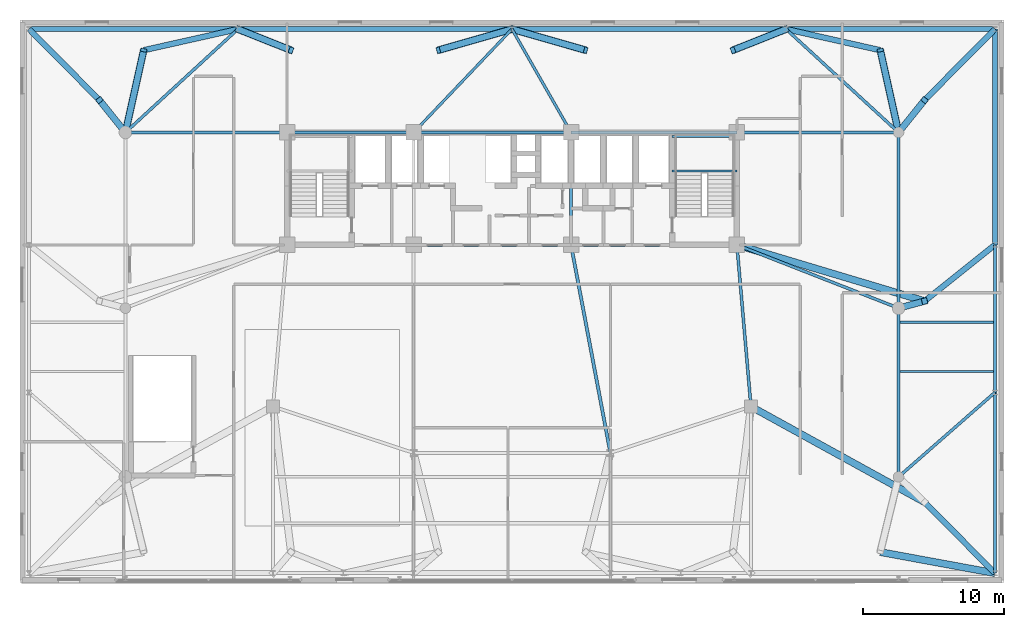
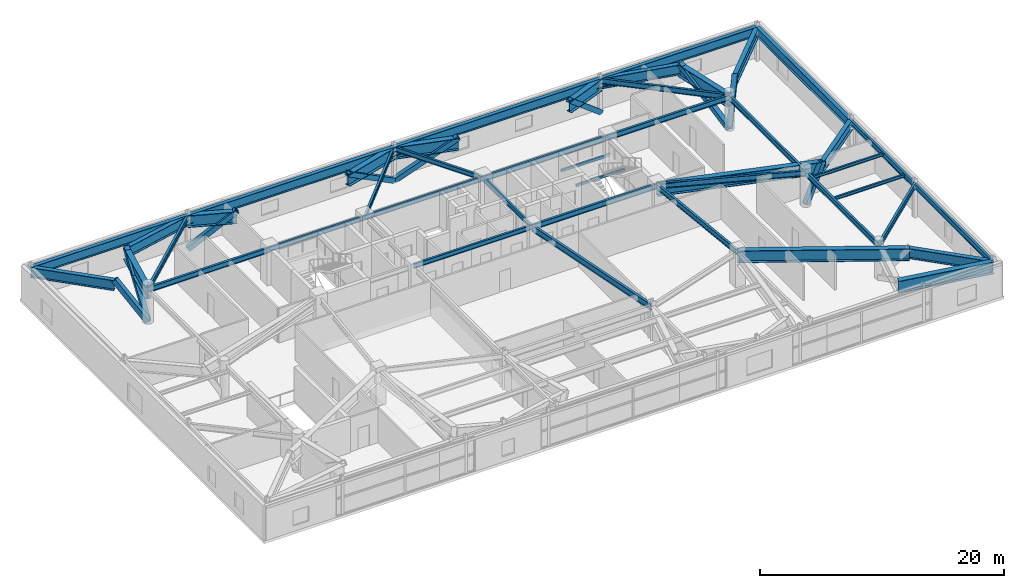
# One storey, part 18 of 27: 44 beams, 9 members.
"""IFC4 building model written with IfcOpenShell, lengths in metres."""

import ifcopenshell
import ifcopenshell.guid

model = None  # the IFC model being written
_history = None  # IfcOwnerHistory: only IFC2X3 demands one
_inside = {}  # id of a spatial element -> (the spatial element, [elements in it])
_under = {}  # id of a project, library or spatial element -> (it, [spatial elements below it])
_declared = {}  # id of a project -> (the project, [libraries it declares])
_typed = {}  # id of a type object -> (the type object, [elements of that type])
_made_of = {}  # id of a material, layer set ... -> (it, [elements and type objects made of it])


def new_model(schema):
    """Start an empty IFC model of exactly this schema.

    Asked for "IFC4X3", IfcOpenShell would pick the latest addendum, in which some entities
    have other attributes; the version numbers below select the first issue.
    IFC2X3 requires an IfcOwnerHistory on every rooted entity: one is made here for all.
    """
    global model, _history
    if schema == "IFC4X3":
        model = ifcopenshell.file(schema_version=(4, 3, 0, 0))
    else:
        model = ifcopenshell.file(schema=schema)
    _inside.clear()
    _under.clear()
    _declared.clear()
    _typed.clear()
    _made_of.clear()
    _history = None
    if model.schema == "IFC2X3":
        org = make("IfcOrganization", Name="unknown")
        user = make(
            "IfcPersonAndOrganization",
            ThePerson=make("IfcPerson", FamilyName="unknown"),
            TheOrganization=org,
        )
        app = make(
            "IfcApplication",
            ApplicationDeveloper=org,
            Version="unknown",
            ApplicationFullName="unknown",
            ApplicationIdentifier="unknown",
        )
        _history = make(
            "IfcOwnerHistory",
            OwningUser=user,
            OwningApplication=app,
            ChangeAction="ADDED",
            CreationDate=0,
        )
    return model


def make(cls, **values):
    """One entity of the class cls with the attributes given. An attribute that is None is left unset."""
    return model.create_entity(
        cls, **{name: value for name, value in values.items() if value is not None}
    )


def rooted(cls, **values):
    """An entity with a GlobalId (a new one), such as an element, a storey or a relation."""
    return make(cls, GlobalId=ifcopenshell.guid.new(), OwnerHistory=_history, **values)


def si_unit(unit_type, name, prefix=None):
    """IfcSIUnit, for example si_unit("LENGTHUNIT", "METRE", prefix="MILLI")."""
    return make("IfcSIUnit", UnitType=unit_type, Prefix=prefix, Name=name)


def assignment(units):
    """IfcUnitAssignment: the units of a project."""
    return None if units is None else make("IfcUnitAssignment", Units=units)


def point(xyz):
    """IfcCartesianPoint."""
    return None if xyz is None else make("IfcCartesianPoint", Coordinates=xyz)


def direction(xyz):
    """IfcDirection."""
    return None if xyz is None else make("IfcDirection", DirectionRatios=xyz)


def frame(location, z_axis=None, x_axis=None):
    """IfcAxis2Placement3D, a coordinate frame: its origin and axes. An axis left out is left unset."""
    return make(
        "IfcAxis2Placement3D",
        Location=point(location),
        Axis=direction(z_axis),
        RefDirection=direction(x_axis),
    )


def frame_2d(location, x_axis=None):
    """IfcAxis2Placement2D, a coordinate frame in the plane: its origin and x axis."""
    return make(
        "IfcAxis2Placement2D", Location=point(location), RefDirection=direction(x_axis)
    )


def origin():
    """The frame at (0, 0, 0) with its axes left unset."""
    return frame((0.0, 0.0, 0.0))


def origin_2d():
    """The frame at (0, 0) in the plane with its x axis left unset."""
    return frame_2d((0.0, 0.0))


def place(relative_to, where):
    """IfcLocalPlacement: puts the frame where relative to a parent placement (None: the world)."""
    return make(
        "IfcLocalPlacement", PlacementRelTo=relative_to, RelativePlacement=where
    )


def context(
    kind, dimensions, precision=None, world=None, true_north=None, identifier=None
):
    """IfcGeometricRepresentationContext, for example the 3D "Model" context."""
    return make(
        "IfcGeometricRepresentationContext",
        ContextIdentifier=identifier,
        ContextType=kind,
        CoordinateSpaceDimension=dimensions,
        Precision=precision,
        WorldCoordinateSystem=world,
        TrueNorth=true_north,
    )


def subcontext(parent, identifier, kind, view, scale=None):
    """IfcGeometricRepresentationSubContext, for example "Body" below "Model"."""
    return make(
        "IfcGeometricRepresentationSubContext",
        ContextIdentifier=identifier,
        ContextType=kind,
        ParentContext=parent,
        TargetScale=scale,
        TargetView=view,
    )


def project(units=None, contexts=None):
    """IfcProject with its units and contexts."""
    return rooted(
        "IfcProject",
        Name="project",
        RepresentationContexts=contexts,
        UnitsInContext=assignment(units),
    )


def spatial(cls, under=None, at=None, **own):
    """A site, building, storey or space (cls), placed at a placement, below another one or the project."""
    s = rooted(cls, ObjectPlacement=at, **own)
    if under is not None:
        _under.setdefault(under.id(), (under, []))[1].append(s)
    return s


def profile(cls, at=None, kind="AREA", **sizes):
    """A parametric profile (cls). Its sizes go by their IFC names, for example OverallWidth=200.0."""
    return make(cls, ProfileType=kind, Position=at, **sizes)


def hollow_rectangle(**sizes):
    """IfcRectangleHollowProfileDef."""
    return profile("IfcRectangleHollowProfileDef", **sizes)


def i_section(**sizes):
    """IfcIShapeProfileDef."""
    return profile("IfcIShapeProfileDef", **sizes)


def extrude(swept, where, along, depth):
    """IfcExtrudedAreaSolid: the profile swept, set in the frame where, extruded along a direction by depth."""
    return make(
        "IfcExtrudedAreaSolid",
        SweptArea=swept,
        Position=where,
        ExtrudedDirection=direction(along),
        Depth=depth,
    )


def shape(context_of_items, identifier, shape_type, items):
    """IfcShapeRepresentation: the items that make up one representation, for example the "Body"."""
    return make(
        "IfcShapeRepresentation",
        ContextOfItems=context_of_items,
        RepresentationIdentifier=identifier,
        RepresentationType=shape_type,
        Items=items,
    )


def source(mapping_origin, context_of_items, identifier, shape_type, items):
    """IfcRepresentationMap: a shape defined once, which mapped items show again and again."""
    return make(
        "IfcRepresentationMap",
        MappingOrigin=mapping_origin,
        MappedRepresentation=shape(context_of_items, identifier, shape_type, items),
    )


def transform(
    local_origin,
    x_axis=None,
    y_axis=None,
    z_axis=None,
    scale=None,
    scale2=None,
    scale3=None,
    uniform=True,
):
    """IfcCartesianTransformationOperator3D, or its non-uniform kind. x_axis, y_axis, z_axis: its Axis1, 2, 3."""
    if uniform:
        return make(
            "IfcCartesianTransformationOperator3D",
            Axis1=direction(x_axis),
            Axis2=direction(y_axis),
            LocalOrigin=point(local_origin),
            Scale=scale,
            Axis3=direction(z_axis),
        )
    return make(
        "IfcCartesianTransformationOperator3DnonUniform",
        Axis1=direction(x_axis),
        Axis2=direction(y_axis),
        LocalOrigin=point(local_origin),
        Scale=scale,
        Axis3=direction(z_axis),
        Scale2=scale2,
        Scale3=scale3,
    )


def mapped(mapping_source, mapping_target):
    """IfcMappedItem: shows the shape of a source again, moved by a transform."""
    return make(
        "IfcMappedItem", MappingSource=mapping_source, MappingTarget=mapping_target
    )


def material(Name=None, Category=None):
    """IfcMaterial."""
    return make("IfcMaterial", Name=Name, Category=Category)


def material_profile(
    of_material, cross_section, Name=None, Category=None, Priority=None
):
    """IfcMaterialProfile: a cross section and its material."""
    return make(
        "IfcMaterialProfile",
        Name=Name,
        Material=of_material,
        Profile=cross_section,
        Priority=Priority,
        Category=Category,
    )


def profile_set(profiles, Name=None, composite=None):
    """IfcMaterialProfileSet."""
    return make(
        "IfcMaterialProfileSet",
        Name=Name,
        MaterialProfiles=profiles,
        CompositeProfile=composite,
    )


def made_of(thing, what):
    """Note that an element or type object is made of a material, layer set ...; save() writes the relation."""
    if what is not None:
        _made_of.setdefault(what.id(), (what, []))[1].append(thing)
    return thing


def type_object(cls, material=None, **own):
    """A type object (cls), such as IfcWallType, which elements share."""
    return made_of(rooted(cls, **own), material)


def element(
    cls,
    number,
    at=None,
    inside=None,
    cuts=None,
    type_object=None,
    material=None,
    context=None,
    identifier="Body",
    shape_type=None,
    held_by="IfcProductDefinitionShape",
    body=None,
    shapes=None,
    **own,
):
    """One element of the class cls, such as IfcWall. Its Tag is "e" and its number.

    at: its placement. inside: the storey or other place that contains it. cuts: it is an
    opening in that element (IfcRelVoidsElement). A single representation is given by context,
    identifier, shape_type and body (its items); several are given by shapes. held_by: the class
    of the entity that holds the representations. save() writes the other relations.
    """
    e = rooted(cls, Tag="e%d" % number, ObjectPlacement=at, **own)
    if body is not None:
        shapes = [shape(context, identifier, shape_type, body)]
    if shapes is not None:
        e.Representation = make(held_by, Representations=shapes)
    if inside is not None:
        _inside.setdefault(inside.id(), (inside, []))[1].append(e)
    if cuts is not None:
        rooted(
            "IfcRelVoidsElement", RelatingBuildingElement=cuts, RelatedOpeningElement=e
        )
    if type_object is not None:
        _typed.setdefault(type_object.id(), (type_object, []))[1].append(e)
    return made_of(e, material)


def aggregate(whole, parts):
    """IfcRelAggregates: a whole, such as a stair, and the parts it consists of."""
    return rooted("IfcRelAggregates", RelatingObject=whole, RelatedObjects=parts)


def save(model, path):
    """Write the relations noted so far, then the file.

    IfcRelAggregates (storeys below a building ...), IfcRelContainedInSpatialStructure (elements
    in a storey), IfcRelDefinesByType, IfcRelAssociatesMaterial and IfcRelDeclares: one each for
    every whole, place, type object, material and project.
    """
    for whole, parts in _under.values():
        aggregate(whole, parts)
    for where, things in _inside.values():
        rooted(
            "IfcRelContainedInSpatialStructure",
            RelatedElements=things,
            RelatingStructure=where,
        )
    for kind, things in _typed.values():
        rooted("IfcRelDefinesByType", RelatedObjects=things, RelatingType=kind)
    for what, things in _made_of.values():
        rooted("IfcRelAssociatesMaterial", RelatedObjects=things, RelatingMaterial=what)
    for by, libraries in _declared.values():
        rooted("IfcRelDeclares", RelatingContext=by, RelatedDefinitions=libraries)
    model.write(path)


model = new_model("IFC4")

# Units and contexts
model_context = context("Model", 3, precision=1e-05, world=origin(), true_north=direction((0.0, 1.0)))
body_context = subcontext(model_context, "Body", "Model", "MODEL_VIEW")
ifc_project = project(units=[si_unit("LENGTHUNIT", "METRE"), si_unit("AREAUNIT", "SQUARE_METRE"), si_unit("VOLUMEUNIT", "CUBIC_METRE"), si_unit("PLANEANGLEUNIT", "RADIAN"), si_unit("MASSUNIT", "GRAM", prefix="KILO")], contexts=[model_context])

# Site, building, storey
site_placement = place(None, origin())
site = spatial("IfcSite", under=ifc_project, at=site_placement, CompositionType="ELEMENT")
building_placement = place(site_placement, origin())
building = spatial("IfcBuilding", under=site, at=building_placement, Name="Taldren Reach Tower", CompositionType="ELEMENT")
storey_placement = place(building_placement, frame((0.0, 0.0, 12.949951171875)))
storey = spatial("IfcBuildingStorey", under=building, at=storey_placement, Name="L03", CompositionType="ELEMENT", Elevation=12.949951171875)

# Beams
ifc_material_1 = material(Name="Steel Gr 350 (350PLUS)", Category="steel")
ifc_material_profile_1 = material_profile(ifc_material_1, i_section(OverallWidth=0.19091796875, OverallDepth=0.4599609375, WebThickness=0.010009765625, FlangeThickness=0.01611328125, at=origin_2d()), Name="460UB82.1")
ifc_profile_set_1 = profile_set([ifc_material_profile_1], Name="Steel Gr 350 (350PLUS)")
beam_type_1 = type_object("IfcBeamType", Name="BM-UB460A", PredefinedType="BEAM", material=ifc_profile_set_1)
shared_shape_1 = source(origin(), body_context, "Body", "SweptSolid", [
    extrude(i_section(OverallWidth=0.19091796875, OverallDepth=0.4599609375, WebThickness=0.010009765625, FlangeThickness=0.01611328125, at=origin_2d()), origin(), (0.0, 0.0, 1.0), 9.0),
])
beam_1_placement = place(storey_placement, frame((19.0, 32.0, 3.199951171875), z_axis=(1.0, 0.0, 0.0), x_axis=(0.0, 1.0, 0.0)))
element("IfcBeam", 1, at=beam_1_placement, inside=storey, type_object=beam_type_1, Name="Core-spine girder L03-SP04", PredefinedType="BEAM", context=body_context, shape_type="MappedRepresentation", body=[
    mapped(shared_shape_1, transform((0.0, 0.0, 0.0), scale=1.0)),
])
shared_shape_2 = source(origin(), body_context, "Body", "SweptSolid", [
    extrude(i_section(OverallWidth=0.19091796875, OverallDepth=0.4599609375, WebThickness=0.010009765625, FlangeThickness=0.01611328125, at=origin_2d()), origin(), (0.0, 0.0, 1.0), 11.199951171875),
])
for number, where, z_axis, x_axis, name in (
    (2, (28.0, 24.0, 3.199951171875), (1.0, 0.0, 0.0), (0.0, 1.0, 0.0), "Core-spine girder L03-SP02"),
    (3, (28.0, 32.0, 3.199951171875), (1.0, 0.0, 0.0), (0.0, 1.0, 0.0), "Core-spine girder L03-SP05"),
):
    element("IfcBeam", number, at=place(storey_placement, frame(where, z_axis=z_axis, x_axis=x_axis)), inside=storey, type_object=beam_type_1, Name=name, PredefinedType="BEAM", context=body_context, shape_type="MappedRepresentation", body=[
        mapped(shared_shape_2, transform((0.0, 0.0, 0.0), scale=1.0)),
    ])
ifc_material_profile_2 = material_profile(ifc_material_1, i_section(OverallWidth=0.208984375, OverallDepth=0.532958984375, WebThickness=0.01025390625, FlangeThickness=0.015625, at=origin_2d()), Name="530UB92.4")
ifc_profile_set_2 = profile_set([ifc_material_profile_2], Name="Steel Gr 350 (350PLUS)")
beam_type_2 = type_object("IfcBeamType", Name="BM-UB530A", PredefinedType="BEAM", material=ifc_profile_set_2)
shared_shape_3 = source(origin(), body_context, "Body", "SweptSolid", [
    extrude(i_section(OverallWidth=0.208984375, OverallDepth=0.532958984375, WebThickness=0.01025390625, FlangeThickness=0.015625, at=origin_2d()), origin(), (0.0, 0.0, 1.0), 11.800048828125),
])
for number, where, z_axis, x_axis, name in (
    (4, (39.199951171875, 24.0, 3.16357421875), (1.0, 0.0, 0.0), (0.0, 1.0, 0.0), "Core-spine girder L03-SP03"),
    (5, (39.199951171875, 32.0, 3.16357421875), (1.0, 0.0, 0.0), (0.0, 1.0, 0.0), "Core-spine girder L03-SP06"),
):
    element("IfcBeam", number, at=place(storey_placement, frame(where, z_axis=z_axis, x_axis=x_axis)), inside=storey, type_object=beam_type_2, Name=name, PredefinedType="BEAM", context=body_context, shape_type="MappedRepresentation", body=[
        mapped(shared_shape_3, transform((0.0, 0.0, 0.0), scale=1.0)),
    ])
shared_shape_4 = source(origin(), body_context, "Body", "SweptSolid", [
    extrude(i_section(OverallWidth=0.19091796875, OverallDepth=0.4599609375, WebThickness=0.010009765625, FlangeThickness=0.01611328125, at=origin_2d()), origin(), (0.0, 0.0, 1.0), 8.0),
])
beam_2_placement = place(storey_placement, frame((39.199951171875, 24.0, 3.199951171875), z_axis=(0.0, 1.0, 0.0), x_axis=(-1.0, 0.0, 0.0)))
element("IfcBeam", 6, at=beam_2_placement, inside=storey, type_object=beam_type_1, Name="Core-spine girder L03-SP08", PredefinedType="BEAM", context=body_context, shape_type="MappedRepresentation", body=[
    mapped(shared_shape_4, transform((0.0, 0.0, 0.0), scale=1.0)),
])
shared_shape_5 = source(origin(), body_context, "Body", "SweptSolid", [
    extrude(i_section(OverallWidth=0.208984375, OverallDepth=0.532958984375, WebThickness=0.01025390625, FlangeThickness=0.015625, at=origin_2d()), origin(), (0.0, 0.0, 1.0), 11.54345703125),
])
beam_3_placement = place(storey_placement, frame((52.0, 12.5, 3.16357421875), z_axis=(-0.086629616365, 0.996240588196, 0.0), x_axis=(-0.996240588196, -0.086629616365, 0.0)))
element("IfcBeam", 7, at=beam_3_placement, inside=storey, type_object=beam_type_2, Name="Core-spine girder L03-SP13", PredefinedType="BEAM", context=body_context, shape_type="MappedRepresentation", body=[
    mapped(shared_shape_5, transform((0.0, 0.0, 0.0), scale=1.0)),
])
ifc_material_profile_3 = material_profile(ifc_material_1, i_section(OverallWidth=0.22802734375, OverallDepth=0.60205078125, WebThickness=0.010498046875, FlangeThickness=0.014892578125, at=origin_2d()), Name="610UB101")
ifc_profile_set_3 = profile_set([ifc_material_profile_3], Name="Steel Gr 350 (350PLUS)")
beam_type_3 = type_object("IfcBeamType", Name="BM-UB610B", PredefinedType="BEAM", material=ifc_profile_set_3)
shared_shape_6 = source(origin(), body_context, "Body", "SweptSolid", [
    extrude(i_section(OverallWidth=0.22802734375, OverallDepth=0.60205078125, WebThickness=0.010498046875, FlangeThickness=0.014892578125, at=origin_2d()), origin(), (0.0, 0.0, 1.0), 15.0625),
])
beam_4_placement = place(storey_placement, frame((39.199951171875, 24.0, 3.129150390625), z_axis=(0.185894205668, -0.982569765614, 0.0), x_axis=(0.982569765614, 0.185894205668, 0.0)))
element("IfcBeam", 8, at=beam_4_placement, inside=storey, type_object=beam_type_3, Name="Core-spine girder L03-SP15", PredefinedType="BEAM", context=body_context, shape_type="MappedRepresentation", body=[
    mapped(shared_shape_6, transform((0.0, 0.0, 0.0), scale=1.0)),
])
ifc_material_profile_4 = material_profile(ifc_material_1, i_section(OverallWidth=0.35009765625, OverallDepth=0.916015625, WebThickness=0.013916015625, FlangeThickness=0.028076171875, at=origin_2d()), Name="900WB257")
ifc_profile_set_4 = profile_set([ifc_material_profile_4], Name="Steel Gr 350 (350PLUS)")
beam_type_4 = type_object("IfcBeamType", Name="BM-WB900", PredefinedType="BEAM", material=ifc_profile_set_4)
shared_shape_7 = source(origin(), body_context, "Body", "SweptSolid", [
    extrude(i_section(OverallWidth=0.35009765625, OverallDepth=0.916015625, WebThickness=0.013916015625, FlangeThickness=0.028076171875, at=origin_2d()), origin(), (0.0, 0.0, 1.0), 14.85009765625),
])
for number, where, z_axis, x_axis, name in (
    (9, (0.64990234375, 39.35009765625, 2.97216796875), (1.0, 0.0, 0.0), (0.0, 1.0, 0.0), "Podium girder L03-PD08"),
    (10, (54.5, 39.35009765625, 2.97216796875), (1.0, 0.0, 0.0), (0.0, 1.0, 0.0), "Podium girder L03-PD11"),
):
    element("IfcBeam", number, at=place(storey_placement, frame(where, z_axis=z_axis, x_axis=x_axis)), inside=storey, type_object=beam_type_4, Name=name, PredefinedType="BEAM", context=body_context, shape_type="MappedRepresentation", body=[
        mapped(shared_shape_7, transform((0.0, 0.0, 0.0), scale=1.0)),
    ])
shared_shape_8 = source(origin(), body_context, "Body", "SweptSolid", [
    extrude(i_section(OverallWidth=0.35009765625, OverallDepth=0.916015625, WebThickness=0.013916015625, FlangeThickness=0.028076171875, at=origin_2d()), origin(), (0.0, 0.0, 1.0), 19.5),
])
for number, where, z_axis, x_axis, name in (
    (11, (15.5, 39.35009765625, 2.97216796875), (1.0, 0.0, 0.0), (0.0, 1.0, 0.0), "Podium girder L03-PD09"),
    (12, (35.0, 39.35009765625, 2.97216796875), (1.0, 0.0, 0.0), (0.0, 1.0, 0.0), "Podium girder L03-PD10"),
):
    element("IfcBeam", number, at=place(storey_placement, frame(where, z_axis=z_axis, x_axis=x_axis)), inside=storey, type_object=beam_type_4, Name=name, PredefinedType="BEAM", context=body_context, shape_type="MappedRepresentation", body=[
        mapped(shared_shape_8, transform((0.0, 0.0, 0.0), scale=1.0)),
    ])
ifc_material_profile_5 = material_profile(ifc_material_1, i_section(OverallWidth=0.208984375, OverallDepth=0.528076171875, WebThickness=0.009521484375, FlangeThickness=0.01318359375, at=origin_2d()), Name="530UB82.0")
ifc_profile_set_5 = profile_set([ifc_material_profile_5], Name="Steel Gr 350 (350PLUS)")
beam_type_5 = type_object("IfcBeamType", Name="SP-UB530B", PredefinedType="SPANDREL", material=ifc_profile_set_5)
shared_shape_9 = source(origin(), body_context, "Body", "SweptSolid", [
    extrude(i_section(OverallWidth=0.208984375, OverallDepth=0.528076171875, WebThickness=0.009521484375, FlangeThickness=0.01318359375, at=origin_2d()), origin(), (0.0, 0.0, 1.0), 12.85009765625),
])
beam_5_placement = place(storey_placement, frame((69.35009765625, 0.64990234375, 3.166015625), z_axis=(0.0, 1.0, 0.0), x_axis=(-1.0, 0.0, 0.0)))
element("IfcBeam", 13, at=beam_5_placement, inside=storey, type_object=beam_type_5, Name="Podium beam L03-PD15", PredefinedType="SPANDREL", context=body_context, shape_type="MappedRepresentation", body=[
    mapped(shared_shape_9, transform((0.0, 0.0, 0.0), scale=1.0)),
])
shared_shape_10 = source(origin(), body_context, "Body", "SweptSolid", [
    extrude(i_section(OverallWidth=0.208984375, OverallDepth=0.528076171875, WebThickness=0.009521484375, FlangeThickness=0.01318359375, at=origin_2d()), origin(), (0.0, 0.0, 1.0), 10.5),
])
beam_6_placement = place(storey_placement, frame((69.35009765625, 13.5, 3.166015625), z_axis=(0.0, 1.0, 0.0), x_axis=(-1.0, 0.0, 0.0)))
element("IfcBeam", 14, at=beam_6_placement, inside=storey, type_object=beam_type_5, Name="Podium beam L03-PD16", PredefinedType="SPANDREL", context=body_context, shape_type="MappedRepresentation", body=[
    mapped(shared_shape_10, transform((0.0, 0.0, 0.0), scale=1.0)),
])
shared_shape_11 = source(origin(), body_context, "Body", "SweptSolid", [
    extrude(i_section(OverallWidth=0.35009765625, OverallDepth=0.916015625, WebThickness=0.013916015625, FlangeThickness=0.028076171875, at=origin_2d()), origin(), (0.0, 0.0, 1.0), 15.35009765625),
])
beam_7_placement = place(storey_placement, frame((69.35009765625, 24.0, 2.97216796875), z_axis=(0.0, 1.0, 0.0), x_axis=(-1.0, 0.0, 0.0)))
element("IfcBeam", 15, at=beam_7_placement, inside=storey, type_object=beam_type_4, Name="Podium girder L03-PD17", PredefinedType="BEAM", context=body_context, shape_type="MappedRepresentation", body=[
    mapped(shared_shape_11, transform((0.0, 0.0, 0.0), scale=1.0)),
])
shared_shape_12 = source(origin(), body_context, "Body", "SweptSolid", [
    extrude(i_section(OverallWidth=0.208984375, OverallDepth=0.532958984375, WebThickness=0.01025390625, FlangeThickness=0.015625, at=origin_2d()), origin(), (0.0, 0.0, 1.0), 9.106201171875),
])
beam_8_placement = place(storey_placement, frame((69.35009765625, 13.5, 3.16357421875), z_axis=(-0.75224111342, -0.658887932262, 0.0), x_axis=(0.658887932262, -0.75224111342, 0.0)))
element("IfcBeam", 16, at=beam_8_placement, inside=storey, type_object=beam_type_2, Name="Podium beam L03-PD26", PredefinedType="BEAM", context=body_context, shape_type="MappedRepresentation", body=[
    mapped(shared_shape_12, transform((0.0, 0.0, 0.0), scale=1.0)),
])
shared_shape_13 = source(origin(), body_context, "Body", "SweptSolid", [
    extrude(i_section(OverallWidth=0.208984375, OverallDepth=0.532958984375, WebThickness=0.01025390625, FlangeThickness=0.015625, at=origin_2d()), origin(), (0.0, 0.0, 1.0), 12.0),
])
beam_9_placement = place(storey_placement, frame((62.5, 7.5, 3.16357421875), z_axis=(0.0, 1.0, 0.0), x_axis=(-1.0, 0.0, 0.0)))
element("IfcBeam", 17, at=beam_9_placement, inside=storey, type_object=beam_type_2, Name="Podium beam L03-PD27", PredefinedType="BEAM", context=body_context, shape_type="MappedRepresentation", body=[
    mapped(shared_shape_13, transform((0.0, 0.0, 0.0), scale=1.0)),
])
shared_shape_14 = source(origin(), body_context, "Body", "SweptSolid", [
    extrude(i_section(OverallWidth=0.208984375, OverallDepth=0.532958984375, WebThickness=0.01025390625, FlangeThickness=0.015625, at=origin_2d()), origin(), (0.0, 0.0, 1.0), 12.5),
])
beam_10_placement = place(storey_placement, frame((62.5, 19.5, 3.16357421875), z_axis=(0.0, 1.0, 0.0), x_axis=(-1.0, 0.0, 0.0)))
element("IfcBeam", 18, at=beam_10_placement, inside=storey, type_object=beam_type_2, Name="Podium beam L03-PD28", PredefinedType="BEAM", context=body_context, shape_type="MappedRepresentation", body=[
    mapped(shared_shape_14, transform((0.0, 0.0, 0.0), scale=1.0)),
])
shared_shape_15 = source(origin(), body_context, "Body", "SweptSolid", [
    extrude(i_section(OverallWidth=0.208984375, OverallDepth=0.532958984375, WebThickness=0.01025390625, FlangeThickness=0.015625, at=origin_2d()), origin(), (0.0, 0.0, 1.0), 10.86376953125),
])
for number, where, z_axis, x_axis, name in (
    (19, (7.5, 32.0, 3.16357421875), (0.736385012576, 0.676562719379, 0.0), (-0.676562719379, 0.736385012576, 0.0), "Podium beam L03-PD21"),
    (20, (62.5, 32.0, 3.16357421875), (-0.736385012576, 0.676562719379, 0.0), (-0.676562719379, -0.736385012576, 0.0), "Podium beam L03-PD29"),
):
    element("IfcBeam", number, at=place(storey_placement, frame(where, z_axis=z_axis, x_axis=x_axis)), inside=storey, type_object=beam_type_2, Name=name, PredefinedType="BEAM", context=body_context, shape_type="MappedRepresentation", body=[
        mapped(shared_shape_15, transform((0.0, 0.0, 0.0), scale=1.0)),
    ])
shared_shape_16 = source(origin(), body_context, "Body", "SweptSolid", [
    extrude(i_section(OverallWidth=0.208984375, OverallDepth=0.532958984375, WebThickness=0.01025390625, FlangeThickness=0.015625, at=origin_2d()), origin(), (0.0, 0.0, 1.0), 12.34912109375),
])
beam_11_placement = place(storey_placement, frame((51.0, 24.0, 3.16357421875), z_axis=(0.931242779706, -0.364399348581, 0.0), x_axis=(0.364399348581, 0.931242779706, 0.0)))
element("IfcBeam", 21, at=beam_11_placement, inside=storey, type_object=beam_type_2, Name="Podium beam L03-PD32", PredefinedType="BEAM", context=body_context, shape_type="MappedRepresentation", body=[
    mapped(shared_shape_16, transform((0.0, 0.0, 0.0), scale=1.0)),
])
shared_shape_17 = source(origin(), body_context, "Body", "SweptSolid", [
    extrude(i_section(OverallWidth=0.208984375, OverallDepth=0.532958984375, WebThickness=0.01025390625, FlangeThickness=0.015625, at=origin_2d()), origin(), (0.0, 0.0, 1.0), 11.5),
])
for number, where, z_axis, x_axis, name in (
    (22, (7.5, 32.0, 3.16357421875), (1.0, 0.0, 0.0), (0.0, 1.0, 0.0), "Podium beam L03-PD31"),
    (23, (51.0, 32.0, 3.16357421875), (1.0, 0.0, 0.0), (0.0, 1.0, 0.0), "Podium beam L03-PD33"),
):
    element("IfcBeam", number, at=place(storey_placement, frame(where, z_axis=z_axis, x_axis=x_axis)), inside=storey, type_object=beam_type_2, Name=name, PredefinedType="BEAM", context=body_context, shape_type="MappedRepresentation", body=[
        mapped(shared_shape_17, transform((0.0, 0.0, 0.0), scale=1.0)),
    ])
shared_shape_18 = source(origin(), body_context, "Body", "SweptSolid", [
    extrude(i_section(OverallWidth=0.19091796875, OverallDepth=0.4599609375, WebThickness=0.010009765625, FlangeThickness=0.01611328125, at=origin_2d()), origin(), (0.0, 0.0, 1.0), 10.150146484375),
])
beam_12_placement = place(storey_placement, frame((28.0, 32.0, 3.199951171875), z_axis=(0.6896503675, 0.724142507113, 0.0), x_axis=(-0.724142507113, 0.6896503675, 0.0)))
element("IfcBeam", 24, at=beam_12_placement, inside=storey, type_object=beam_type_1, Name="Podium beam L03-PD34", PredefinedType="BEAM", context=body_context, shape_type="MappedRepresentation", body=[
    mapped(shared_shape_18, transform((0.0, 0.0, 0.0), scale=1.0)),
])
shared_shape_19 = source(origin(), body_context, "Body", "SweptSolid", [
    extrude(i_section(OverallWidth=0.19091796875, OverallDepth=0.4599609375, WebThickness=0.010009765625, FlangeThickness=0.01611328125, at=origin_2d()), origin(), (0.0, 0.0, 1.0), 8.46533203125),
])
beam_13_placement = place(storey_placement, frame((39.199951171875, 32.0, 3.199951171875), z_axis=(-0.496129620882, 0.86824846633, 0.0), x_axis=(-0.86824846633, -0.496129620882, 0.0)))
element("IfcBeam", 25, at=beam_13_placement, inside=storey, type_object=beam_type_1, Name="Podium beam L03-PD35", PredefinedType="BEAM", context=body_context, shape_type="MappedRepresentation", body=[
    mapped(shared_shape_19, transform((0.0, 0.0, 0.0), scale=1.0)),
])
ifc_material_2 = material(Name="Steel Gr 300 (300PLUS, 300 MPa)", Category="steel")
ifc_material_profile_6 = material_profile(ifc_material_2, i_section(OverallWidth=0.166015625, OverallDepth=0.306884765625, WebThickness=0.006591796875, FlangeThickness=0.01171875, at=origin_2d()), Name="310UB46.2")
ifc_profile_set_6 = profile_set([ifc_material_profile_6], Name="Steel Gr 300 (300PLUS, 300 MPa)")
beam_type_6 = type_object("IfcBeamType", Name="JS-UB310", PredefinedType="JOIST", material=ifc_profile_set_6)
shared_shape_20 = source(origin(), body_context, "Body", "SweptSolid", [
    extrude(i_section(OverallWidth=0.166015625, OverallDepth=0.306884765625, WebThickness=0.006591796875, FlangeThickness=0.01171875, at=origin_2d()), origin(), (0.0, 0.0, 1.0), 6.64111328125),
])
for number, where, z_axis, x_axis, name in (
    (26, (62.6044921875, 15.0, 3.276611328125), (1.0, 0.0, 0.0), (0.0, 1.0, 0.0), "Podium wing floor joist L03-3.2"),
    (27, (62.6044921875, 18.5, 3.276611328125), (1.0, 0.0, 0.0), (0.0, 1.0, 0.0), "Podium wing floor joist L03-4.2"),
):
    element("IfcBeam", number, at=place(storey_placement, frame(where, z_axis=z_axis, x_axis=x_axis)), inside=storey, type_object=beam_type_6, Name=name, PredefinedType="JOIST", context=body_context, shape_type="MappedRepresentation", body=[
        mapped(shared_shape_20, transform((0.0, 0.0, 0.0), scale=1.0)),
    ])
ifc_material_profile_7 = material_profile(ifc_material_1, i_section(OverallWidth=0.5, OverallDepth=1.199951171875, WebThickness=0.01611328125, FlangeThickness=0.0400390625, at=origin_2d()), Name="1200WB455")
ifc_profile_set_7 = profile_set([ifc_material_profile_7], Name="Steel Gr 350 (350PLUS)")
beam_type_7 = type_object("IfcBeamType", Name="BM-WB1200", PredefinedType="BEAM", material=ifc_profile_set_7)
shared_shape_21 = source(origin(), body_context, "Body", "SweptSolid", [
    extrude(i_section(OverallWidth=0.5, OverallDepth=1.199951171875, WebThickness=0.01611328125, FlangeThickness=0.0400390625, at=origin_2d()), origin(), (0.0, 0.0, 1.0), 8.287109375),
])
beam_14_placement = place(storey_placement, frame((69.35009765625, 0.64990234375, 2.830078125), z_axis=(-0.983482044694, 0.181005711967, 0.0), x_axis=(-0.181005711967, -0.983482044694, 0.0)))
element("IfcBeam", 28, at=beam_14_placement, inside=storey, type_object=beam_type_7, Name="Block transfer tie girder TG-B1-S6B on L03", PredefinedType="BEAM", context=body_context, shape_type="MappedRepresentation", body=[
    mapped(shared_shape_21, transform((0.0, 0.0, 0.0), scale=1.0)),
])

# Members
ifc_material_3 = material(Name="Steel Gr 450 (C450L0)", Category="steel")
ifc_material_profile_8 = material_profile(ifc_material_3, hollow_rectangle(XDim=0.4599609375, YDim=0.4599609375, WallThickness=0.01611328125, at=origin_2d()), Name="460x460x16.0SHS")
ifc_profile_set_8 = profile_set([ifc_material_profile_8], Name="Steel Gr 450 (C450L0)")
member_type = type_object("IfcMemberType", Name="MB-EXO457", PredefinedType="BRACE", material=ifc_profile_set_8)
shared_shape_22 = source(origin(), body_context, "Body", "SweptSolid", [
    extrude(hollow_rectangle(XDim=0.4599609375, YDim=0.4599609375, WallThickness=0.01611328125, at=origin_2d()), origin(), (0.0, 0.0, 1.0), 6.89501953125),
])
for number, where, z_axis, x_axis, name in (
    (29, (7.5, 32.0, 0.02001953125), (0.188549017607, 0.8484528751, 0.494547254258), (-0.976186101612, 0.21693477135, 0.0), "Portal and block transfer strut TS-B1-N1 L03"),
    (30, (62.5, 32.0, 0.02001953125), (-0.188549017607, 0.8484528751, 0.494547254258), (-0.976186101612, -0.21693477135, 0.0), "Portal and block transfer strut TS-B1-N6 L03"),
):
    element("IfcMember", number, at=place(storey_placement, frame(where, z_axis=z_axis, x_axis=x_axis)), inside=storey, type_object=member_type, Name=name, PredefinedType="BRACE", context=body_context, shape_type="MappedRepresentation", body=[
        mapped(shared_shape_22, transform((0.0, 0.0, 0.0), scale=1.0)),
    ])

# Beams
shared_shape_23 = source(origin(), body_context, "Body", "SweptSolid", [
    extrude(i_section(OverallWidth=0.5, OverallDepth=1.199951171875, WebThickness=0.01611328125, FlangeThickness=0.0400390625, at=origin_2d()), origin(), (0.0, 0.0, 1.0), 5.992919921875),
])
for number, where, z_axis, x_axis, name in (
    (31, (7.5, 32.0, 2.830078125), (0.21693477135, 0.976186101612, 0.0), (-0.976186101612, 0.21693477135, 0.0), "Block transfer girder TG-B1-N1A on L03"),
    (32, (62.5, 32.0, 2.830078125), (-0.21693477135, 0.976186101612, 0.0), (-0.976186101612, -0.21693477135, 0.0), "Block transfer girder TG-B1-N6A on L03"),
):
    element("IfcBeam", number, at=place(storey_placement, frame(where, z_axis=z_axis, x_axis=x_axis)), inside=storey, type_object=beam_type_7, Name=name, PredefinedType="BEAM", context=body_context, shape_type="MappedRepresentation", body=[
        mapped(shared_shape_23, transform((0.0, 0.0, 0.0), scale=1.0)),
    ])
ifc_material_profile_9 = material_profile(ifc_material_1, i_section(OverallWidth=0.39990234375, OverallDepth=1.02392578125, WebThickness=0.01611328125, FlangeThickness=0.031982421875, at=origin_2d()), Name="1000WB322")
ifc_profile_set_9 = profile_set([ifc_material_profile_9], Name="Steel Gr 350 (350PLUS)")
beam_type_8 = type_object("IfcBeamType", Name="BM-WB1000", PredefinedType="BEAM", material=ifc_profile_set_9)
shared_shape_24 = source(origin(), body_context, "Body", "SweptSolid", [
    extrude(i_section(OverallWidth=0.39990234375, OverallDepth=1.02392578125, WebThickness=0.01611328125, FlangeThickness=0.031982421875, at=origin_2d()), origin(), (0.0, 0.0, 1.0), 6.86572265625),
])
for number, where, z_axis, x_axis, name in (
    (33, (15.5, 39.35009765625, 2.91796875), (-0.975842800886, -0.218473861044, 0.0), (0.218473861044, -0.975842800886, 0.0), "Block transfer tie girder TG-B1-N1B on L03"),
    (34, (54.5, 39.35009765625, 2.91796875), (0.975842800886, -0.218473861044, 0.0), (0.218473861044, 0.975842800886, 0.0), "Block transfer tie girder TG-B1-N6B on L03"),
):
    element("IfcBeam", number, at=place(storey_placement, frame(where, z_axis=z_axis, x_axis=x_axis)), inside=storey, type_object=beam_type_8, Name=name, PredefinedType="BEAM", context=body_context, shape_type="MappedRepresentation", body=[
        mapped(shared_shape_24, transform((0.0, 0.0, 0.0), scale=1.0)),
    ])

# Members
shared_shape_25 = source(origin(), body_context, "Body", "SweptSolid", [
    extrude(hollow_rectangle(XDim=0.4599609375, YDim=0.4599609375, WallThickness=0.01611328125, at=origin_2d()), origin(), (0.0, 0.0, 1.0), 5.30712890625),
])
for number, where, z_axis, x_axis, name in (
    (35, (15.5, 39.35009765625, 0.02001953125), (0.712248653981, -0.282636164184, 0.642509652532), (0.368843050507, 0.929491691244, 0.0), "Portal and block transfer strut TS-B1-N2 L03"),
    (36, (54.5, 39.35009765625, 0.02001953125), (-0.712248653981, -0.282636164184, 0.642509652532), (0.368843050507, -0.929491691244, 0.0), "Portal and block transfer strut TS-B1-N5 L03"),
):
    element("IfcMember", number, at=place(storey_placement, frame(where, z_axis=z_axis, x_axis=x_axis)), inside=storey, type_object=member_type, Name=name, PredefinedType="BRACE", context=body_context, shape_type="MappedRepresentation", body=[
        mapped(shared_shape_25, transform((0.0, 0.0, 0.0), scale=1.0)),
    ])

# Beams
shared_shape_26 = source(origin(), body_context, "Body", "SweptSolid", [
    extrude(i_section(OverallWidth=0.5, OverallDepth=1.199951171875, WebThickness=0.01611328125, FlangeThickness=0.0400390625, at=origin_2d()), origin(), (0.0, 0.0, 1.0), 4.066650390625),
])
for number, where, z_axis, x_axis, name in (
    (37, (15.5, 39.35009765625, 2.830078125), (0.929491691244, -0.368843050507, 0.0), (0.368843050507, 0.929491691244, 0.0), "Block transfer girder TG-B1-N2A on L03"),
    (38, (54.5, 39.35009765625, 2.830078125), (-0.929491691244, -0.368843050507, 0.0), (0.368843050507, -0.929491691244, 0.0), "Block transfer girder TG-B1-N5A on L03"),
):
    element("IfcBeam", number, at=place(storey_placement, frame(where, z_axis=z_axis, x_axis=x_axis)), inside=storey, type_object=beam_type_7, Name=name, PredefinedType="BEAM", context=body_context, shape_type="MappedRepresentation", body=[
        mapped(shared_shape_26, transform((0.0, 0.0, 0.0), scale=1.0)),
    ])

# Members
shared_shape_27 = source(origin(), body_context, "Body", "SweptSolid", [
    extrude(hollow_rectangle(XDim=0.4599609375, YDim=0.4599609375, WallThickness=0.01611328125, at=origin_2d()), origin(), (0.0, 0.0, 1.0), 6.42919921875),
])
for number, where, z_axis, x_axis, name in (
    (39, (35.0, 39.35009765625, 0.02001953125), (-0.815026098527, -0.233309432481, 0.530376439367), (0.275206206074, -0.96138522151, 0.0), "Portal and block transfer strut TS-B1-N3 L03"),
    (40, (35.0, 39.35009765625, 0.02001953125), (0.815026098527, -0.233309432481, 0.530376439367), (0.275206206074, 0.96138522151, 0.0), "Portal and block transfer strut TS-B1-N4 L03"),
):
    element("IfcMember", number, at=place(storey_placement, frame(where, z_axis=z_axis, x_axis=x_axis)), inside=storey, type_object=member_type, Name=name, PredefinedType="BRACE", context=body_context, shape_type="MappedRepresentation", body=[
        mapped(shared_shape_27, transform((0.0, 0.0, 0.0), scale=1.0)),
    ])

# Beams
shared_shape_28 = source(origin(), body_context, "Body", "SweptSolid", [
    extrude(i_section(OverallWidth=0.5, OverallDepth=1.199951171875, WebThickness=0.01611328125, FlangeThickness=0.0400390625, at=origin_2d()), origin(), (0.0, 0.0, 1.0), 5.450439453125),
])
for number, where, z_axis, x_axis, name in (
    (41, (35.0, 39.35009765625, 2.830078125), (-0.96138522151, -0.275206206074, 0.0), (0.275206206074, -0.96138522151, 0.0), "Block transfer girder TG-B1-N3A on L03"),
    (42, (35.0, 39.35009765625, 2.830078125), (0.96138522151, -0.275206206074, 0.0), (0.275206206074, 0.96138522151, 0.0), "Block transfer girder TG-B1-N4A on L03"),
):
    element("IfcBeam", number, at=place(storey_placement, frame(where, z_axis=z_axis, x_axis=x_axis)), inside=storey, type_object=beam_type_7, Name=name, PredefinedType="BEAM", context=body_context, shape_type="MappedRepresentation", body=[
        mapped(shared_shape_28, transform((0.0, 0.0, 0.0), scale=1.0)),
    ])
shared_shape_29 = source(origin(), body_context, "Body", "SweptSolid", [
    extrude(i_section(OverallWidth=0.5, OverallDepth=1.199951171875, WebThickness=0.01611328125, FlangeThickness=0.0400390625, at=origin_2d()), origin(), (0.0, 0.0, 1.0), 14.098388671875),
])
beam_15_placement = place(storey_placement, frame((52.0, 12.5, 2.830078125), z_axis=(0.875991325783, -0.482326857175, 0.0), x_axis=(0.482326857175, 0.875991325783, 0.0)))
element("IfcBeam", 43, at=beam_15_placement, inside=storey, type_object=beam_type_7, Name="Block transfer girder TG-B1-E1A on L03", PredefinedType="BEAM", context=body_context, shape_type="MappedRepresentation", body=[
    mapped(shared_shape_29, transform((0.0, 0.0, 0.0), scale=1.0)),
])
shared_shape_30 = source(origin(), body_context, "Body", "SweptSolid", [
    extrude(i_section(OverallWidth=0.39990234375, OverallDepth=1.02392578125, WebThickness=0.01611328125, FlangeThickness=0.031982421875, at=origin_2d()), origin(), (0.0, 0.0, 1.0), 7.1064453125),
])
for number, where, z_axis, x_axis, name in (
    (44, (0.64990234375, 39.35009765625, 2.91796875), (0.703576694325, -0.710619332134, 0.0), (0.710619332134, 0.703576694325, 0.0), "Block transfer tie girder TG-B1-W3B on L03"),
    (45, (69.35009765625, 0.64990234375, 2.91796875), (-0.703576694325, 0.710619332134, 0.0), (-0.710619332134, -0.703576694325, 0.0), "Block transfer tie girder TG-B1-E1B on L03"),
    (46, (69.35009765625, 39.35009765625, 2.91796875), (-0.703576694325, -0.710619332134, 0.0), (0.710619332134, -0.703576694325, 0.0), "Block transfer tie girder TG-B1-E3B on L03"),
):
    element("IfcBeam", number, at=place(storey_placement, frame(where, z_axis=z_axis, x_axis=x_axis)), inside=storey, type_object=beam_type_8, Name=name, PredefinedType="BEAM", context=body_context, shape_type="MappedRepresentation", body=[
        mapped(shared_shape_30, transform((0.0, 0.0, 0.0), scale=1.0)),
    ])

# Member
shared_shape_31 = source(origin(), body_context, "Body", "SweptSolid", [
    extrude(hollow_rectangle(XDim=0.4599609375, YDim=0.4599609375, WallThickness=0.01611328125, at=origin_2d()), origin(), (0.0, 0.0, 1.0), 3.91162109375),
])
member_placement = place(storey_placement, frame((62.5, 19.5, 0.02001953125), z_axis=(0.472981115128, 0.127825986247, 0.871750756795), x_axis=(-0.260896190657, 0.965366861717, 0.0)))
element("IfcMember", 47, at=member_placement, inside=storey, type_object=member_type, Name="Portal and block transfer strut TS-B1-E2 L03", PredefinedType="BRACE", context=body_context, shape_type="MappedRepresentation", body=[
    mapped(shared_shape_31, transform((0.0, 0.0, 0.0), scale=1.0)),
])

# Beams
shared_shape_32 = source(origin(), body_context, "Body", "SweptSolid", [
    extrude(i_section(OverallWidth=0.5, OverallDepth=1.199951171875, WebThickness=0.01611328125, FlangeThickness=0.0400390625, at=origin_2d()), origin(), (0.0, 0.0, 1.0), 13.9365234375),
])
beam_16_placement = place(storey_placement, frame((51.0, 24.0, 2.830078125), z_axis=(0.957925550891, -0.287016792104, 0.0), x_axis=(0.287016792104, 0.957925550891, 0.0)))
element("IfcBeam", 48, at=beam_16_placement, inside=storey, type_object=beam_type_7, Name="Block transfer girder TG-B1-E2A on L03", PredefinedType="BEAM", context=body_context, shape_type="MappedRepresentation", body=[
    mapped(shared_shape_32, transform((0.0, 0.0, 0.0), scale=1.0)),
])
shared_shape_33 = source(origin(), body_context, "Body", "SweptSolid", [
    extrude(i_section(OverallWidth=0.39990234375, OverallDepth=1.02392578125, WebThickness=0.01611328125, FlangeThickness=0.031982421875, at=origin_2d()), origin(), (0.0, 0.0, 1.0), 6.403076171875),
])
beam_17_placement = place(storey_placement, frame((69.35009765625, 24.0, 2.91796875), z_axis=(-0.780868809443, -0.624695047554, 0.0), x_axis=(0.624695047554, -0.780868809443, 0.0)))
element("IfcBeam", 49, at=beam_17_placement, inside=storey, type_object=beam_type_8, Name="Block transfer tie girder TG-B1-E2B on L03", PredefinedType="BEAM", context=body_context, shape_type="MappedRepresentation", body=[
    mapped(shared_shape_33, transform((0.0, 0.0, 0.0), scale=1.0)),
])

# Members
shared_shape_34 = source(origin(), body_context, "Body", "SweptSolid", [
    extrude(hollow_rectangle(XDim=0.4599609375, YDim=0.4599609375, WallThickness=0.01611328125, at=origin_2d()), origin(), (0.0, 0.0, 1.0), 4.510009765625),
])
for number, where, z_axis, x_axis, name in (
    (50, (7.5, 32.0, 0.02001953125), (-0.410216303574, 0.509982554232, 0.756069030354), (-0.779203790919, -0.626770653602, 0.0), "Portal and block transfer strut TS-B1-W3 L03"),
    (51, (62.5, 32.0, 0.02001953125), (0.410216303574, 0.509982554232, 0.756069030354), (-0.779203790919, 0.626770653602, 0.0), "Portal and block transfer strut TS-B1-E3 L03"),
):
    element("IfcMember", number, at=place(storey_placement, frame(where, z_axis=z_axis, x_axis=x_axis)), inside=storey, type_object=member_type, Name=name, PredefinedType="BRACE", context=body_context, shape_type="MappedRepresentation", body=[
        mapped(shared_shape_34, transform((0.0, 0.0, 0.0), scale=1.0)),
    ])

# Beams
ifc_material_4 = material(Name="Steel Gr 350 (C350L0)", Category="steel")
ifc_material_profile_10 = material_profile(ifc_material_4, hollow_rectangle(XDim=0.14990234375, YDim=0.25, WallThickness=0.009033203125, at=origin_2d()), Name="250x150x9.0RHS")
ifc_profile_set_10 = profile_set([ifc_material_profile_10], Name="Steel Gr 350 (C350L0)")
beam_type_9 = type_object("IfcBeamType", Name="LN-RHS250", PredefinedType="LINTEL", material=ifc_profile_set_10)
shared_shape_35 = source(origin(), body_context, "Body", "SweptSolid", [
    extrude(hollow_rectangle(XDim=0.14990234375, YDim=0.25, WallThickness=0.009033203125, at=origin_2d()), origin(), (0.0, 0.0, 1.0), 4.60009765625),
])
for number, where, z_axis, x_axis, name in (
    (52, (46.39990234375, 29.2548828125, 1.6201171875), (1.0, 0.0, 0.0), (0.0, 1.0, 0.0), "Stair half-landing support beam ST2-L03-1"),
    (53, (46.39990234375, 31.699951171875, 1.6201171875), (1.0, 0.0, 0.0), (0.0, 1.0, 0.0), "Stair half-landing support beam ST2-L03-2"),
):
    element("IfcBeam", number, at=place(storey_placement, frame(where, z_axis=z_axis, x_axis=x_axis)), inside=storey, type_object=beam_type_9, Name=name, PredefinedType="LINTEL", context=body_context, shape_type="MappedRepresentation", body=[
        mapped(shared_shape_35, transform((0.0, 0.0, 0.0), scale=1.0)),
    ])

save(model, "model.ifc")
